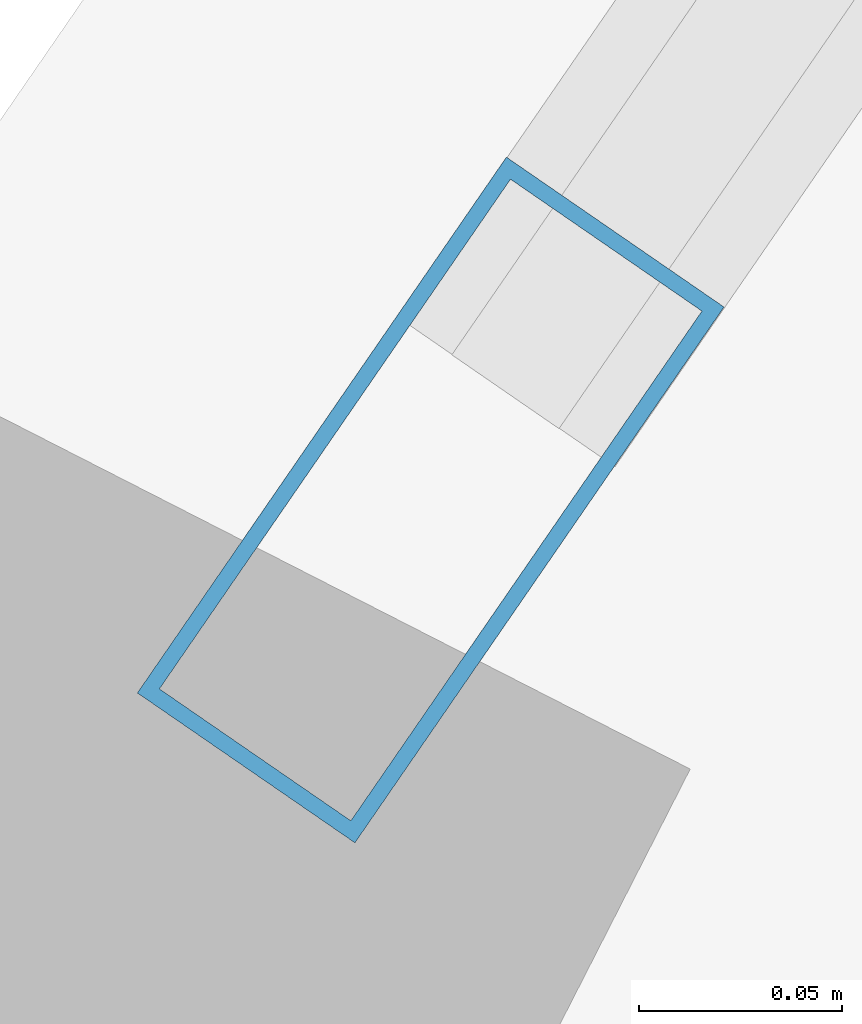
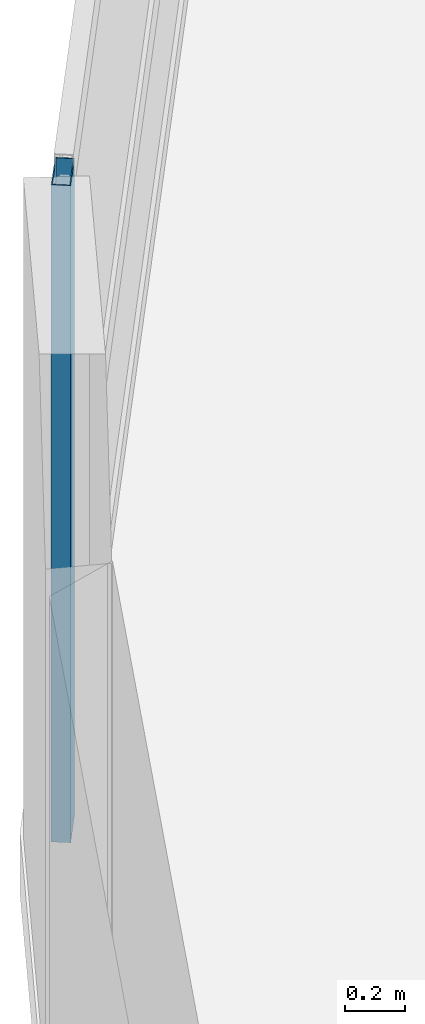
# One storey, part 2 of 24: 1 member, 1 element without a shape of its own.
"""IFC4 building model written with IfcOpenShell, lengths in metres."""

from ifc_helpers import new_model, si_unit, direction, frame, origin, origin_2d, place, context, subcontext, project, spatial, hollow_rectangle, extrude, material, layer, layer_set, material_profile, profile_set, type_object, element, aggregate, save


model = new_model("IFC4")

# Units and contexts
model_context = context("Model", 3, precision=1e-05, world=origin(), true_north=direction((0.0, 1.0)))
body_context = subcontext(model_context, "Body", "Model", "MODEL_VIEW")
ifc_project = project(units=[si_unit("LENGTHUNIT", "METRE"), si_unit("AREAUNIT", "SQUARE_METRE"), si_unit("VOLUMEUNIT", "CUBIC_METRE"), si_unit("PLANEANGLEUNIT", "RADIAN"), si_unit("MASSUNIT", "GRAM", prefix="KILO")], contexts=[model_context])

# Site, building, storey
site_placement = place(None, origin())
site = spatial("IfcSite", under=ifc_project, at=site_placement, CompositionType="ELEMENT")
building_placement = place(site_placement, origin())
building = spatial("IfcBuilding", under=site, at=building_placement, Name="Varnelok Gate Tower", CompositionType="ELEMENT")
storey_placement = place(building_placement, frame((0.0, 0.0, 67.699951171875)))
storey = spatial("IfcBuildingStorey", under=building, at=storey_placement, Name="L16", CompositionType="ELEMENT", Elevation=67.699951171875)

# Curtain wall, member
ifc_material = material(Name="Anodized Aluminum Alloy 6063-T6", Category="aluminium")
ifc_layer = layer(ifc_material, 0.179931640625)
ifc_layer_set = layer_set([ifc_layer], Name="Anodized Aluminum Alloy 6063-T6")
curtain_wall_type = type_object("IfcCurtainWallType", Name="CW3-HOTEL-VISION", PredefinedType="USERDEFINED", material=ifc_layer_set)
curtain_wall_placement = place(storey_placement, origin())
curtain_wall = element("IfcCurtainWall", 1, at=curtain_wall_placement, inside=storey, type_object=curtain_wall_type, Name="L16 West End Vision Curtain Wall", ObjectType="UNITISED CURTAIN WALL", PredefinedType="USERDEFINED")
ifc_material_profile = material_profile(ifc_material, hollow_rectangle(XDim=0.06494140625, YDim=0.159912109375, WallThickness=0.00390625, at=origin_2d()), Name="ALU160X65X4")
ifc_profile_set = profile_set([ifc_material_profile], Name="Anodized Aluminum Alloy 6063-T6")
member_type = type_object("IfcMemberType", Name="CW-MULL-160", PredefinedType="MULLION", material=ifc_profile_set)
member_placement = place(storey_placement, frame((-4.1240234375, 31.2607421875, 0.0), z_axis=(0.0, 0.0, 1.0), x_axis=(-0.823532685111, 0.567268822124, 0.0)))
member = element("IfcMember", 2, at=member_placement, type_object=member_type, Name="CW3 mullion 1", PredefinedType="MULLION", context=body_context, shape_type="SweptSolid", body=[
    extrude(hollow_rectangle(XDim=0.06494140625, YDim=0.159912109375, WallThickness=0.00390625, at=origin_2d()), origin(), (0.0, 0.0, 1.0), 2.66015625),
])
aggregate(curtain_wall, [member])

save(model, "model.ifc")
